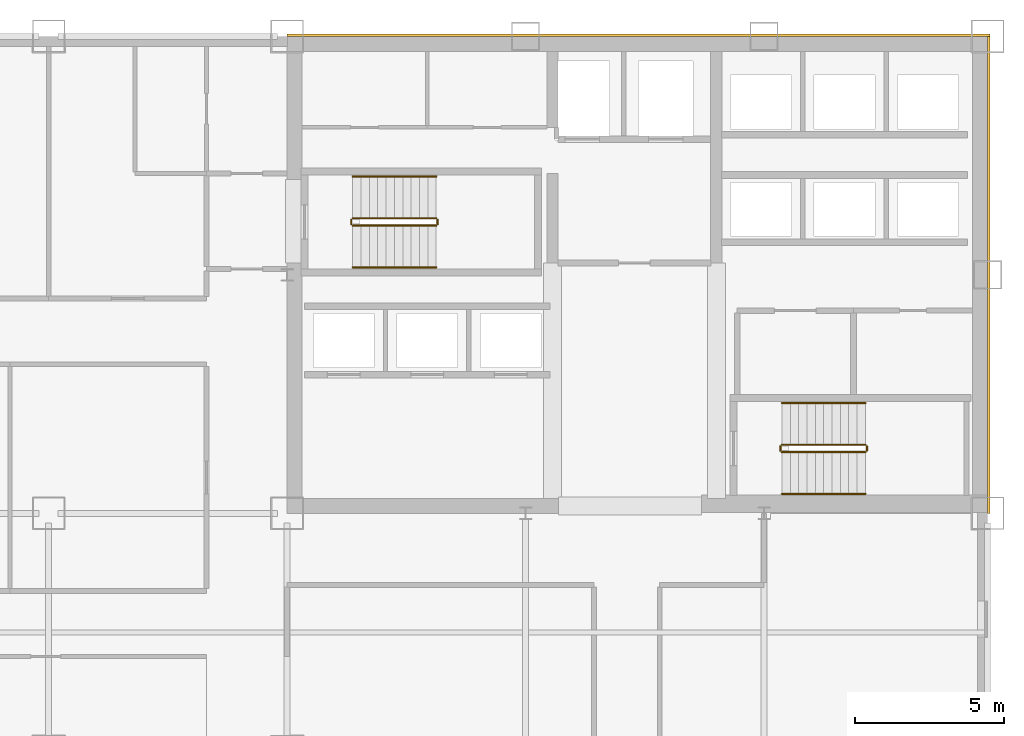
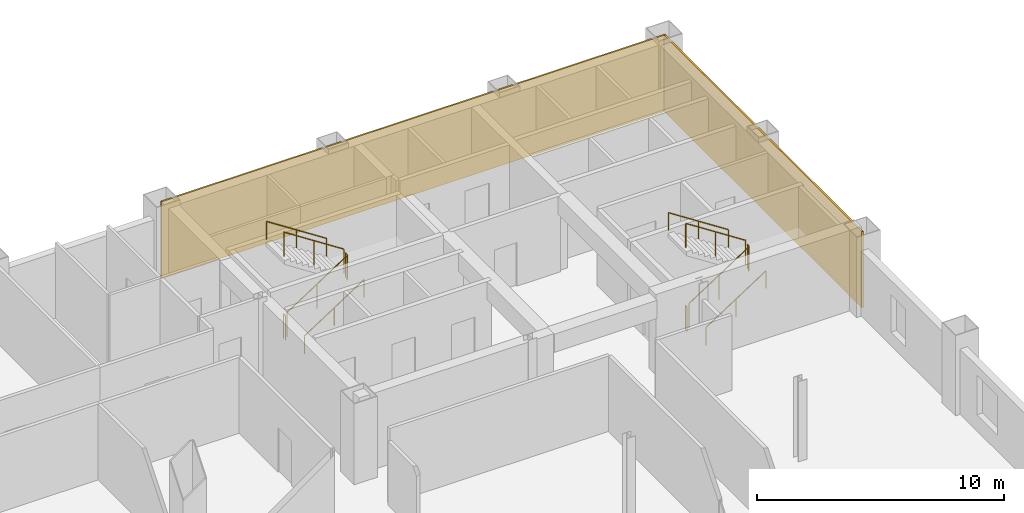
# One storey, part 10 of 10: 12 railings, 2 coverings.
"""IFC4 building model written with IfcOpenShell, lengths in metres."""

from ifc_helpers import new_model, si_unit, direction, frame, origin, origin_2d, place, context, subcontext, project, spatial, rectangle, circle, extrude, material, layer, layer_set, type_object, element, save


model = new_model("IFC4")

# Units and contexts
model_context = context("Model", 3, precision=1e-05, world=origin(), true_north=direction((0.0, 1.0)))
body_context = subcontext(model_context, "Body", "Model", "MODEL_VIEW")
ifc_project = project(units=[si_unit("LENGTHUNIT", "METRE"), si_unit("AREAUNIT", "SQUARE_METRE"), si_unit("VOLUMEUNIT", "CUBIC_METRE"), si_unit("PLANEANGLEUNIT", "RADIAN"), si_unit("MASSUNIT", "GRAM", prefix="KILO")], contexts=[model_context])

# Site, building, storey
site_placement = place(None, origin())
site = spatial("IfcSite", under=ifc_project, at=site_placement, CompositionType="ELEMENT")
building_placement = place(site_placement, origin())
building = spatial("IfcBuilding", under=site, at=building_placement, Name="Qianrong Seaharbour Tower", CompositionType="ELEMENT")
storey_placement = place(building_placement, frame((0.0, 0.0, 135.0)))
storey = spatial("IfcBuildingStorey", under=building, at=storey_placement, Name="L32", CompositionType="ELEMENT", Elevation=135.0)

# Coverings
ifc_material_1 = material(Name="Unitised red brick cladding on Precast concrete C45/55", Category="masonry")
ifc_layer = layer(ifc_material_1, 0.080078125)
ifc_layer_set = layer_set([ifc_layer], Name="Unitised red brick cladding on Precast concrete C45/55")
covering_type = type_object("IfcCoveringType", Name="COV-CLAD-RED-BRICK-80", PredefinedType="CLADDING", material=ifc_layer_set)
covering_1_placement = place(storey_placement, frame((52.2900390625, 52.0400390625, 0.0), z_axis=(0.0, 0.0, 1.0), x_axis=(1.0, 0.0, 0.0)))
element("IfcCovering", 1, at=covering_1_placement, inside=storey, type_object=covering_type, Name="L32 North Core Brick Veneer Cladding", PredefinedType="CLADDING", context=body_context, shape_type="SweptSolid", body=[
    extrude(rectangle(XDim=23.580078125, YDim=0.080078125, at=origin_2d()), origin(), (0.0, 0.0, 1.0), 3.764892578125),
])
covering_2_placement = place(storey_placement, frame((64.0400390625, 44.0, 0.0), z_axis=(0.0, 0.0, 1.0), x_axis=(1.0, 0.0, 0.0)))
element("IfcCovering", 2, at=covering_2_placement, inside=storey, type_object=covering_type, Name="L32 East Core Brick Veneer Cladding", PredefinedType="CLADDING", context=body_context, shape_type="SweptSolid", body=[
    extrude(rectangle(XDim=0.080078125, YDim=16.0, at=origin_2d()), origin(), (0.0, 0.0, 1.0), 3.764892578125),
])

# Railings
ifc_material_2 = material(Name="Galvanized painted steel SN400B stair guard", Category="steel")
railing_type_1 = type_object("IfcRailingType", Name="RAIL-STAIR-GUARD-1220", PredefinedType="GUARDRAIL", material=ifc_material_2)
railing_1_placement = place(storey_placement, frame((42.699951171875, 45.64990234375, 0.181884765625)))
element("IfcRailing", 3, at=railing_1_placement, inside=storey, type_object=railing_type_1, Name="L32 ST-1 stair guard 1", PredefinedType="GUARDRAIL", context=body_context, shape_type="SweptSolid", body=[
    extrude(circle(Radius=0.02392578125, at=origin_2d()), frame((0.0, 0.0, 1.19580078125), z_axis=(0.838705829183, 0.0, 0.544584733623), x_axis=(0.0, 1.0, 0.0)), (0.0, 0.0, 1.0), 3.338623046875),
    extrude(circle(Radius=0.02099609375, at=origin_2d()), origin(), (0.0, 0.0, 1.0), 1.171875),
    extrude(circle(Radius=0.02099609375, at=origin_2d()), frame((1.39990234375, 0.0, 0.9091796875)), (0.0, 0.0, 1.0), 1.171875),
    extrude(circle(Radius=0.02099609375, at=origin_2d()), frame((2.800048828125, 0.0, 1.818115234375)), (0.0, 0.0, 1.0), 1.171875),
])
railing_2_placement = place(storey_placement, frame((45.550048828125, 45.699951171875, 2.0)))
element("IfcRailing", 4, at=railing_2_placement, inside=storey, type_object=railing_type_1, Name="L32 ST-1 stair guard 2", PredefinedType="GUARDRAIL", context=body_context, shape_type="SweptSolid", body=[
    extrude(circle(Radius=0.02392578125, at=origin_2d()), frame((0.0, 0.0, 1.19580078125), z_axis=(0.0, 1.0, 0.0), x_axis=(-1.0, 0.0, 0.0)), (0.0, 0.0, 1.0), 0.150146484375),
    extrude(circle(Radius=0.02099609375, at=origin_2d()), origin(), (0.0, 0.0, 1.0), 1.171875),
    extrude(circle(Radius=0.02099609375, at=origin_2d()), frame((0.0, 0.150146484375, 0.0)), (0.0, 0.0, 1.0), 1.171875),
])
railing_3_placement = place(storey_placement, frame((45.5, 45.89990234375, 2.181884765625)))
element("IfcRailing", 5, at=railing_3_placement, inside=storey, type_object=railing_type_1, Name="L32 ST-1 stair guard 3", PredefinedType="GUARDRAIL", context=body_context, shape_type="SweptSolid", body=[
    extrude(circle(Radius=0.02392578125, at=origin_2d()), frame((0.0, 0.0, 1.19580078125), z_axis=(-0.838705829183, 0.0, 0.544584733623), x_axis=(0.0, -1.0, 0.0)), (0.0, 0.0, 1.0), 3.338623046875),
    extrude(circle(Radius=0.02099609375, at=origin_2d()), origin(), (0.0, 0.0, 1.0), 1.171875),
    extrude(circle(Radius=0.02099609375, at=origin_2d()), frame((-1.39990234375, 0.0, 0.9091796875)), (0.0, 0.0, 1.0), 1.171875),
    extrude(circle(Radius=0.02099609375, at=origin_2d()), frame((-2.800048828125, 0.0, 1.818115234375)), (0.0, 0.0, 1.0), 1.171875),
])
railing_4_placement = place(storey_placement, frame((42.64990234375, 45.699951171875, 0.0)))
element("IfcRailing", 6, at=railing_4_placement, inside=storey, type_object=railing_type_1, Name="L32 ST-1 stair guard 4", PredefinedType="GUARDRAIL", context=body_context, shape_type="SweptSolid", body=[
    extrude(circle(Radius=0.02392578125, at=origin_2d()), frame((0.0, 0.0, 1.19580078125), z_axis=(0.0, 1.0, 0.0), x_axis=(-1.0, 0.0, 0.0)), (0.0, 0.0, 1.0), 0.150146484375),
    extrude(circle(Radius=0.02099609375, at=origin_2d()), origin(), (0.0, 0.0, 1.0), 1.171875),
    extrude(circle(Radius=0.02099609375, at=origin_2d()), frame((0.0, 0.150146484375, 0.0)), (0.0, 0.0, 1.0), 1.171875),
])
railing_5_placement = place(storey_placement, frame((57.10009765625, 38.050048828125, 0.181884765625)))
element("IfcRailing", 7, at=railing_5_placement, inside=storey, type_object=railing_type_1, Name="L32 ST-2 stair guard 1", PredefinedType="GUARDRAIL", context=body_context, shape_type="SweptSolid", body=[
    extrude(circle(Radius=0.02392578125, at=origin_2d()), frame((0.0, 0.0, 1.19580078125), z_axis=(0.83868413941, 0.0, 0.544618136222), x_axis=(0.0, 1.0, 0.0)), (0.0, 0.0, 1.0), 3.33837890625),
    extrude(circle(Radius=0.02099609375, at=origin_2d()), origin(), (0.0, 0.0, 1.0), 1.171875),
    extrude(circle(Radius=0.02099609375, at=origin_2d()), frame((1.39990234375, 0.0, 0.9091796875)), (0.0, 0.0, 1.0), 1.171875),
    extrude(circle(Radius=0.02099609375, at=origin_2d()), frame((2.7998046875, 0.0, 1.818115234375)), (0.0, 0.0, 1.0), 1.171875),
])
railing_6_placement = place(storey_placement, frame((59.949951171875, 38.10009765625, 2.0)))
element("IfcRailing", 8, at=railing_6_placement, inside=storey, type_object=railing_type_1, Name="L32 ST-2 stair guard 2", PredefinedType="GUARDRAIL", context=body_context, shape_type="SweptSolid", body=[
    extrude(circle(Radius=0.02392578125, at=origin_2d()), frame((0.0, 0.0, 1.19580078125), z_axis=(0.0, 1.0, 0.0), x_axis=(-1.0, 0.0, 0.0)), (0.0, 0.0, 1.0), 0.14990234375),
    extrude(circle(Radius=0.02099609375, at=origin_2d()), origin(), (0.0, 0.0, 1.0), 1.171875),
    extrude(circle(Radius=0.02099609375, at=origin_2d()), frame((0.0, 0.14990234375, 0.0)), (0.0, 0.0, 1.0), 1.171875),
])
railing_7_placement = place(storey_placement, frame((59.89990234375, 38.300048828125, 2.181884765625)))
element("IfcRailing", 9, at=railing_7_placement, inside=storey, type_object=railing_type_1, Name="L32 ST-2 stair guard 3", PredefinedType="GUARDRAIL", context=body_context, shape_type="SweptSolid", body=[
    extrude(circle(Radius=0.02392578125, at=origin_2d()), frame((0.0, 0.0, 1.19580078125), z_axis=(-0.83868413941, 0.0, 0.544618136222), x_axis=(0.0, -1.0, 0.0)), (0.0, 0.0, 1.0), 3.33837890625),
    extrude(circle(Radius=0.02099609375, at=origin_2d()), origin(), (0.0, 0.0, 1.0), 1.171875),
    extrude(circle(Radius=0.02099609375, at=origin_2d()), frame((-1.39990234375, 0.0, 0.9091796875)), (0.0, 0.0, 1.0), 1.171875),
    extrude(circle(Radius=0.02099609375, at=origin_2d()), frame((-2.7998046875, 0.0, 1.818115234375)), (0.0, 0.0, 1.0), 1.171875),
])
railing_8_placement = place(storey_placement, frame((57.050048828125, 38.10009765625, 0.0)))
element("IfcRailing", 10, at=railing_8_placement, inside=storey, type_object=railing_type_1, Name="L32 ST-2 stair guard 4", PredefinedType="GUARDRAIL", context=body_context, shape_type="SweptSolid", body=[
    extrude(circle(Radius=0.02392578125, at=origin_2d()), frame((0.0, 0.0, 1.19580078125), z_axis=(0.0, 1.0, 0.0), x_axis=(-1.0, 0.0, 0.0)), (0.0, 0.0, 1.0), 0.14990234375),
    extrude(circle(Radius=0.02099609375, at=origin_2d()), origin(), (0.0, 0.0, 1.0), 1.171875),
    extrude(circle(Radius=0.02099609375, at=origin_2d()), frame((0.0, 0.14990234375, 0.0)), (0.0, 0.0, 1.0), 1.171875),
])
ifc_material_3 = material(Name="Stainless steel SUS316L continuous handrail", Category="steel")
railing_type_2 = type_object("IfcRailingType", Name="RAIL-STAIR-HANDRAIL-900", PredefinedType="HANDRAIL", material=ifc_material_3)
railing_9_placement = place(storey_placement, frame((42.699951171875, 44.25, 0.181884765625)))
element("IfcRailing", 11, at=railing_9_placement, inside=storey, type_object=railing_type_2, Name="L32 ST-1 stair handrail 1", PredefinedType="HANDRAIL", context=body_context, shape_type="SweptSolid", body=[
    extrude(circle(Radius=0.02392578125, at=origin_2d()), frame((0.0, 0.0, 0.8759765625), z_axis=(0.838705829183, 0.0, 0.544584733623), x_axis=(0.0, 1.0, 0.0)), (0.0, 0.0, 1.0), 3.338623046875),
    extrude(circle(Radius=0.02099609375, at=origin_2d()), origin(), (0.0, 0.0, 1.0), 0.851806640625),
    extrude(circle(Radius=0.02099609375, at=origin_2d()), frame((1.39990234375, 0.0, 0.9091796875)), (0.0, 0.0, 1.0), 0.851806640625),
    extrude(circle(Radius=0.02099609375, at=origin_2d()), frame((2.800048828125, 0.0, 1.818115234375)), (0.0, 0.0, 1.0), 0.851806640625),
])
railing_10_placement = place(storey_placement, frame((45.5, 47.300048828125, 2.181884765625)))
element("IfcRailing", 12, at=railing_10_placement, inside=storey, type_object=railing_type_2, Name="L32 ST-1 stair handrail 2", PredefinedType="HANDRAIL", context=body_context, shape_type="SweptSolid", body=[
    extrude(circle(Radius=0.02392578125, at=origin_2d()), frame((0.0, 0.0, 0.8759765625), z_axis=(-0.838705829183, 0.0, 0.544584733623), x_axis=(0.0, -1.0, 0.0)), (0.0, 0.0, 1.0), 3.338623046875),
    extrude(circle(Radius=0.02099609375, at=origin_2d()), origin(), (0.0, 0.0, 1.0), 0.851806640625),
    extrude(circle(Radius=0.02099609375, at=origin_2d()), frame((-1.39990234375, 0.0, 0.9091796875)), (0.0, 0.0, 1.0), 0.851806640625),
    extrude(circle(Radius=0.02099609375, at=origin_2d()), frame((-2.800048828125, 0.0, 1.818115234375)), (0.0, 0.0, 1.0), 0.851806640625),
])
railing_11_placement = place(storey_placement, frame((57.10009765625, 36.64990234375, 0.181884765625)))
element("IfcRailing", 13, at=railing_11_placement, inside=storey, type_object=railing_type_2, Name="L32 ST-2 stair handrail 1", PredefinedType="HANDRAIL", context=body_context, shape_type="SweptSolid", body=[
    extrude(circle(Radius=0.02392578125, at=origin_2d()), frame((0.0, 0.0, 0.8759765625), z_axis=(0.83868413941, 0.0, 0.544618136222), x_axis=(0.0, 1.0, 0.0)), (0.0, 0.0, 1.0), 3.33837890625),
    extrude(circle(Radius=0.02099609375, at=origin_2d()), origin(), (0.0, 0.0, 1.0), 0.851806640625),
    extrude(circle(Radius=0.02099609375, at=origin_2d()), frame((1.39990234375, 0.0, 0.9091796875)), (0.0, 0.0, 1.0), 0.851806640625),
    extrude(circle(Radius=0.02099609375, at=origin_2d()), frame((2.7998046875, 0.0, 1.818115234375)), (0.0, 0.0, 1.0), 0.851806640625),
])
railing_12_placement = place(storey_placement, frame((59.89990234375, 39.699951171875, 2.181884765625)))
element("IfcRailing", 14, at=railing_12_placement, inside=storey, type_object=railing_type_2, Name="L32 ST-2 stair handrail 2", PredefinedType="HANDRAIL", context=body_context, shape_type="SweptSolid", body=[
    extrude(circle(Radius=0.02392578125, at=origin_2d()), frame((0.0, 0.0, 0.8759765625), z_axis=(-0.83868413941, 0.0, 0.544618136222), x_axis=(0.0, -1.0, 0.0)), (0.0, 0.0, 1.0), 3.33837890625),
    extrude(circle(Radius=0.02099609375, at=origin_2d()), origin(), (0.0, 0.0, 1.0), 0.851806640625),
    extrude(circle(Radius=0.02099609375, at=origin_2d()), frame((-1.39990234375, 0.0, 0.9091796875)), (0.0, 0.0, 1.0), 0.851806640625),
    extrude(circle(Radius=0.02099609375, at=origin_2d()), frame((-2.7998046875, 0.0, 1.818115234375)), (0.0, 0.0, 1.0), 0.851806640625),
])

save(model, "model.ifc")
